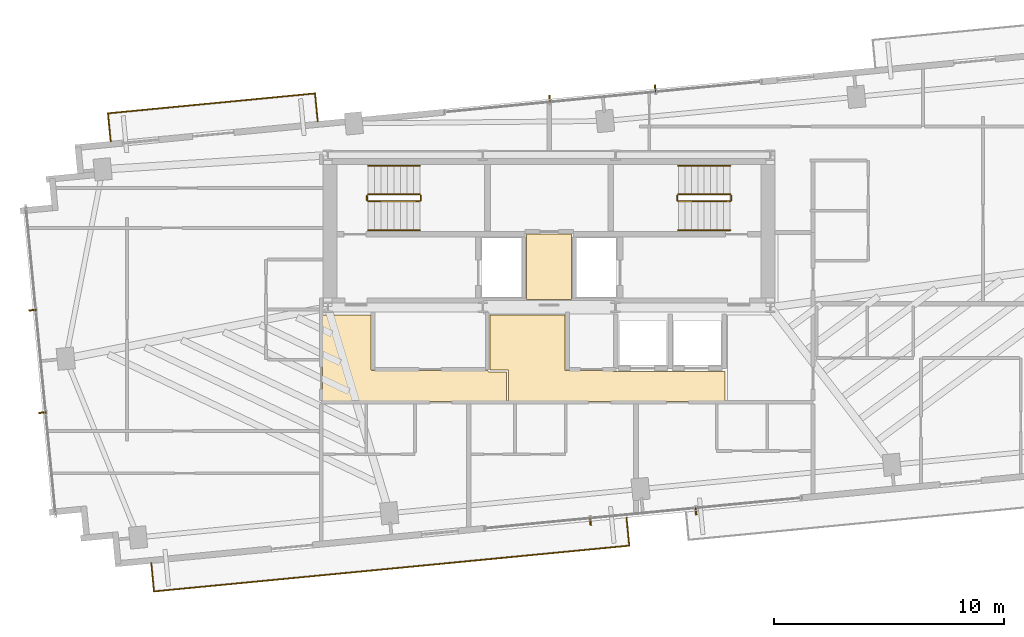
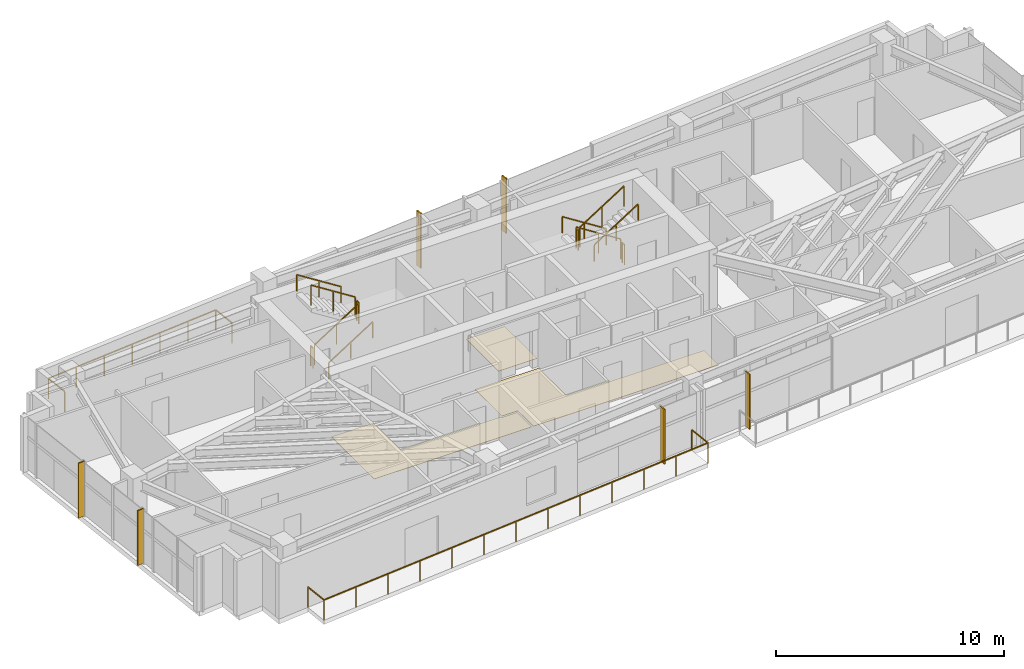
# One storey, part 17 of 18: 14 railings, 6 shading devices, 3 coverings.
"""IFC4 building model written with IfcOpenShell, lengths in metres."""

from ifc_helpers import new_model, si_unit, direction, frame, origin, origin_2d, place, context, subcontext, project, spatial, polyline, rectangle, outline, extrude, source, transform, mapped, material, layer, layer_set, type_object, type_shapes, element, save


model = new_model("IFC4")

# Units and contexts
model_context = context("Model", 3, precision=1e-05, world=origin(), true_north=direction((0.0, 1.0)))
body_context = subcontext(model_context, "Body", "Model", "MODEL_VIEW")
ifc_project = project(units=[si_unit("LENGTHUNIT", "METRE"), si_unit("AREAUNIT", "SQUARE_METRE"), si_unit("VOLUMEUNIT", "CUBIC_METRE"), si_unit("PLANEANGLEUNIT", "RADIAN"), si_unit("MASSUNIT", "GRAM", prefix="KILO")], contexts=[model_context])

# Site, building, storey
site_placement = place(None, origin())
site = spatial("IfcSite", under=ifc_project, at=site_placement, CompositionType="ELEMENT")
building_placement = place(site_placement, origin())
building = spatial("IfcBuilding", under=site, at=building_placement, Name="Astriad Promenade Condominiums", CompositionType="ELEMENT")
storey_placement = place(building_placement, frame((0.0, 0.0, 189.0)))
storey = spatial("IfcBuildingStorey", under=building, at=storey_placement, Name="L54", CompositionType="ELEMENT", Elevation=189.0)

# Coverings
ifc_material_1 = material(Name="Polished Lakefront Terrazzo Flooring")
ifc_layer = layer(ifc_material_1, 0.02001953125)
ifc_layer_set = layer_set([ifc_layer], Name="Polished Lakefront Terrazzo Flooring")
covering_type = type_object("IfcCoveringType", Name="COV-FLOR-TERRAZZO-20", PredefinedType="FLOORING", material=ifc_layer_set)
covering_1_placement = place(storey_placement, origin())
element("IfcCovering", 1, at=covering_1_placement, inside=storey, type_object=covering_type, Name="FLR-L54-CSL", PredefinedType="FLOORING", context=body_context, shape_type="SweptSolid", body=[
    extrude(outline(polyline([(36.97998046875, 17.739990234375), (35.02001953125, 17.739990234375), (35.02001953125, 20.580078125), (36.97998046875, 20.580078125), (36.97998046875, 17.739990234375)])), origin(), (0.0, 0.0, 1.0), 0.02001953125),
])
covering_2_placement = place(storey_placement, origin())
element("IfcCovering", 2, at=covering_2_placement, inside=storey, type_object=covering_type, Name="FLR-L54-LLB", PredefinedType="FLOORING", context=body_context, shape_type="SweptSolid", body=[
    extrude(outline(polyline([(43.639892578125, 14.610107421875), (43.639892578125, 13.320068359375), (34.239990234375, 13.320068359375), (34.239990234375, 14.64990234375), (34.23974609375, 14.65380859375), (34.2392578125, 14.65771484375), (34.23828125, 14.66162109375), (34.237060546875, 14.665283203125), (34.2353515625, 14.6689453125), (34.2333984375, 14.672119140625), (34.23095703125, 14.67529296875), (34.228271484375, 14.67822265625), (34.225341796875, 14.680908203125), (34.22216796875, 14.683349609375), (34.218994140625, 14.685302734375), (34.21533203125, 14.68701171875), (34.211669921875, 14.688232421875), (34.207763671875, 14.689208984375), (34.203857421875, 14.689697265625), (34.199951171875, 14.68994140625), (33.43994140625, 14.68994140625), (33.43994140625, 17.06005859375), (36.679931640625, 17.06005859375), (36.679931640625, 14.699951171875), (36.68017578125, 14.696044921875), (36.680908203125, 14.692138671875), (36.681640625, 14.6884765625), (36.68310546875, 14.684814453125), (36.684814453125, 14.68115234375), (36.686767578125, 14.677734375), (36.689208984375, 14.674560546875), (36.691650390625, 14.671630859375), (36.694580078125, 14.669189453125), (36.69775390625, 14.666748046875), (36.701171875, 14.664794921875), (36.70458984375, 14.6630859375), (36.70849609375, 14.66162109375), (36.712158203125, 14.660888671875), (36.716064453125, 14.66015625), (36.719970703125, 14.659912109375), (38.760009765625, 14.659912109375), (38.760009765625, 14.64990234375), (38.76025390625, 14.64599609375), (38.7607421875, 14.64208984375), (38.76171875, 14.638427734375), (38.762939453125, 14.634765625), (38.7646484375, 14.631103515625), (38.7666015625, 14.627685546875), (38.76904296875, 14.62451171875), (38.771728515625, 14.62158203125), (38.774658203125, 14.619140625), (38.77783203125, 14.61669921875), (38.781005859375, 14.61474609375), (38.78466796875, 14.613037109375), (38.788330078125, 14.61181640625), (38.792236328125, 14.61083984375), (38.796142578125, 14.610107421875), (38.800048828125, 14.610107421875), (43.639892578125, 14.610107421875)])), origin(), (0.0, 0.0, 1.0), 0.02001953125),
])
covering_3_placement = place(storey_placement, origin())
element("IfcCovering", 3, at=covering_3_placement, inside=storey, type_object=covering_type, Name="FLR-L54-COR-1", PredefinedType="FLOORING", context=body_context, shape_type="SweptSolid", body=[
    extrude(outline(polyline([(26.159912109375, 13.320068359375), (26.159912109375, 17.06005859375), (28.280029296875, 17.06005859375), (28.280029296875, 14.699951171875), (28.2802734375, 14.696044921875), (28.28076171875, 14.692138671875), (28.28173828125, 14.6884765625), (28.282958984375, 14.684814453125), (28.28466796875, 14.68115234375), (28.28662109375, 14.677734375), (28.2890625, 14.674560546875), (28.291748046875, 14.671630859375), (28.294677734375, 14.669189453125), (28.2978515625, 14.666748046875), (28.301025390625, 14.664794921875), (28.3046875, 14.6630859375), (28.308349609375, 14.66162109375), (28.312255859375, 14.660888671875), (28.316162109375, 14.66015625), (28.320068359375, 14.659912109375), (33.35009765625, 14.659912109375), (33.35009765625, 14.64892578125), (33.35009765625, 14.64501953125), (33.350830078125, 14.64111328125), (33.35107421875, 14.64013671875), (33.351318359375, 14.639404296875), (33.351318359375, 14.638427734375), (33.352294921875, 14.634521484375), (33.353759765625, 14.630859375), (33.3544921875, 14.629150390625), (33.356201171875, 14.6259765625), (33.356689453125, 14.625), (33.35888671875, 14.62158203125), (33.3603515625, 14.61962890625), (33.36083984375, 14.618896484375), (33.361083984375, 14.61865234375), (33.361328125, 14.618408203125), (33.361572265625, 14.617919921875), (33.36328125, 14.615966796875), (33.365966796875, 14.61328125), (33.367919921875, 14.611572265625), (33.368408203125, 14.611328125), (33.36865234375, 14.611083984375), (33.368896484375, 14.61083984375), (33.36962890625, 14.6103515625), (33.37158203125, 14.60888671875), (33.375, 14.606689453125), (33.3759765625, 14.606201171875), (33.379150390625, 14.6044921875), (33.3798828125, 14.604248046875), (33.380859375, 14.603759765625), (33.384521484375, 14.602294921875), (33.388427734375, 14.601318359375), (33.389404296875, 14.601318359375), (33.39013671875, 14.60107421875), (33.39111328125, 14.600830078125), (33.39501953125, 14.60009765625), (33.39892578125, 14.60009765625), (34.14990234375, 14.60009765625), (34.14990234375, 13.320068359375), (26.159912109375, 13.320068359375)])), origin(), (0.0, 0.0, 1.0), 0.02001953125),
])

# Shading devices
ifc_material_2 = material(Name="Anodised aluminium 6063-T6 Black Fin", Category="aluminium")
shading_device_type = type_object("IfcShadingDeviceType", Name="FIN-BLACK-260", PredefinedType="USERDEFINED", material=ifc_material_2)
shared_shape_1 = source(origin(), body_context, "Body", "SweptSolid", [
    extrude(rectangle(XDim=0.06494140625, YDim=0.320068359375, at=origin_2d()), origin(), (0.0, 0.0, 1.0), 2.93994140625),
])
type_shapes(shading_device_type, [shared_shape_1])
for number, where, z_axis, x_axis, name in (
    (4, (14.021484375, 12.83203125, 0.0), (0.0, 0.0, 1.0), (-0.09584575252, 0.995396198367, 0.0), "CW-L54-W-FIN-01"),
    (5, (13.59326171875, 17.278076171875, 0.0), (0.0, 0.0, 1.0), (-0.09584575252, 0.995396198367, 0.0), "CW-L54-W-FIN-02"),
    (6, (36.02783203125, 26.447265625, 0.0), (0.0, 0.0, 1.0), (0.995396198367, 0.09584575252, 0.0), "CW-L54-N-FIN-01"),
    (7, (40.606689453125, 26.88818359375, 0.0), (0.0, 0.0, 1.0), (0.995396198367, 0.09584575252, 0.0), "CW-L54-N-FIN-02"),
    (8, (42.3720703125, 8.552734375, 0.0), (0.0, 0.0, 1.0), (-0.995396198367, -0.09584575252, 0.0), "CW-L54-S-FIN-01"),
    (9, (37.793212890625, 8.11181640625, 0.0), (0.0, 0.0, 1.0), (-0.995396198367, -0.09584575252, 0.0), "CW-L54-S-FIN-02"),
):
    element("IfcShadingDevice", number, at=place(storey_placement, frame(where, z_axis=z_axis, x_axis=x_axis)), inside=storey, type_object=shading_device_type, Name=name, ObjectType="FIN", PredefinedType="USERDEFINED", context=body_context, shape_type="MappedRepresentation", body=[
        mapped(shared_shape_1, transform((0.0, 0.0, 0.0), scale=1.0)),
    ])

# Railings
ifc_material_3 = material(Name="Laminated Glass and Stainless Steel Balustrade", Category="steel")
railing_type_1 = type_object("IfcRailingType", Name="GRD-BALC-1120", PredefinedType="BALUSTRADE", material=ifc_material_3)
shared_shape_2 = source(origin(), body_context, "Body", "SweptSolid", [
    extrude(rectangle(XDim=0.048095703125, YDim=0.048095703125, at=origin_2d()), frame((0.0, 0.0, 1.09619140625), z_axis=(0.095857307208, -0.99539508571, 0.0), x_axis=(0.99539508571, 0.095857307208, 0.0)), (0.0, 0.0, 1.0), 1.219970703125),
    extrude(rectangle(XDim=0.048095703125, YDim=0.048095703125, at=origin_2d()), frame((0.116943359375, -1.21435546875, 1.09619140625), z_axis=(0.99539567659, 0.095851171225, 0.0), x_axis=(-0.095851171225, 0.99539567659, 0.0)), (0.0, 0.0, 1.0), 20.718017578125),
    extrude(rectangle(XDim=0.048095703125, YDim=0.048095703125, at=origin_2d()), frame((20.739501953125, 0.771484375, 1.09619140625), z_axis=(-0.095857307208, 0.99539508571, 0.0), x_axis=(-0.99539508571, -0.095857307208, 0.0)), (0.0, 0.0, 1.0), 1.219970703125),
    extrude(rectangle(XDim=0.0419921875, YDim=0.0419921875, at=origin_2d()), origin(), (0.0, 0.0, 1.0), 1.072021484375),
    extrude(rectangle(XDim=0.0419921875, YDim=0.0419921875, at=origin_2d()), frame((0.116943359375, -1.21435546875, 0.0)), (0.0, 0.0, 1.0), 1.072021484375),
    extrude(rectangle(XDim=0.0419921875, YDim=0.0419921875, at=origin_2d()), frame((1.83544921875, -1.048828125, 0.0)), (0.0, 0.0, 1.0), 1.072021484375),
    extrude(rectangle(XDim=0.0419921875, YDim=0.0419921875, at=origin_2d()), frame((3.553955078125, -0.88330078125, 0.0)), (0.0, 0.0, 1.0), 1.072021484375),
    extrude(rectangle(XDim=0.0419921875, YDim=0.0419921875, at=origin_2d()), frame((5.2724609375, -0.7177734375, 0.0)), (0.0, 0.0, 1.0), 1.072021484375),
    extrude(rectangle(XDim=0.0419921875, YDim=0.0419921875, at=origin_2d()), frame((6.9912109375, -0.552490234375, 0.0)), (0.0, 0.0, 1.0), 1.072021484375),
    extrude(rectangle(XDim=0.0419921875, YDim=0.0419921875, at=origin_2d()), frame((8.709716796875, -0.386962890625, 0.0)), (0.0, 0.0, 1.0), 1.072021484375),
    extrude(rectangle(XDim=0.0419921875, YDim=0.0419921875, at=origin_2d()), frame((10.42822265625, -0.221435546875, 0.0)), (0.0, 0.0, 1.0), 1.072021484375),
    extrude(rectangle(XDim=0.0419921875, YDim=0.0419921875, at=origin_2d()), frame((12.146728515625, -0.055908203125, 0.0)), (0.0, 0.0, 1.0), 1.072021484375),
    extrude(rectangle(XDim=0.0419921875, YDim=0.0419921875, at=origin_2d()), frame((13.865234375, 0.109619140625, 0.0)), (0.0, 0.0, 1.0), 1.072021484375),
    extrude(rectangle(XDim=0.0419921875, YDim=0.0419921875, at=origin_2d()), frame((15.583984375, 0.27490234375, 0.0)), (0.0, 0.0, 1.0), 1.072021484375),
    extrude(rectangle(XDim=0.0419921875, YDim=0.0419921875, at=origin_2d()), frame((17.302490234375, 0.4404296875, 0.0)), (0.0, 0.0, 1.0), 1.072021484375),
    extrude(rectangle(XDim=0.0419921875, YDim=0.0419921875, at=origin_2d()), frame((19.02099609375, 0.60595703125, 0.0)), (0.0, 0.0, 1.0), 1.072021484375),
    extrude(rectangle(XDim=0.0419921875, YDim=0.0419921875, at=origin_2d()), frame((20.739501953125, 0.771484375, 0.0)), (0.0, 0.0, 1.0), 1.072021484375),
    extrude(rectangle(XDim=0.0419921875, YDim=0.0419921875, at=origin_2d()), frame((20.62255859375, 1.98583984375, 0.0)), (0.0, 0.0, 1.0), 1.072021484375),
])
railing_1_placement = place(storey_placement, frame((18.740478515625, 6.287353515625, 0.0)))
element("IfcRailing", 10, at=railing_1_placement, inside=storey, type_object=railing_type_1, Name="GRD-BALC-L54-SW", PredefinedType="BALUSTRADE", context=body_context, shape_type="MappedRepresentation", body=[
    mapped(shared_shape_2, transform((0.0, 0.0, 0.0), scale=1.0)),
])
shared_shape_3 = source(origin(), body_context, "Body", "SweptSolid", [
    extrude(rectangle(XDim=0.048095703125, YDim=0.048095703125, at=origin_2d()), frame((0.0, 0.0, 1.09619140625), z_axis=(-0.095857307208, 0.99539508571, 0.0), x_axis=(-0.99539508571, -0.095857307208, 0.0)), (0.0, 0.0, 1.0), 1.219970703125),
    extrude(rectangle(XDim=0.048095703125, YDim=0.048095703125, at=origin_2d()), frame((-0.116943359375, 1.21435546875, 1.09619140625), z_axis=(-0.995396140583, -0.095846352628, 0.0), x_axis=(0.095846352628, -0.995396140583, 0.0)), (0.0, 0.0, 1.0), 9.02978515625),
    extrude(rectangle(XDim=0.048095703125, YDim=0.048095703125, at=origin_2d()), frame((-9.105224609375, 0.348876953125, 1.09619140625), z_axis=(0.095659020692, -0.99541416092, 0.0), x_axis=(0.99541416092, 0.095659020692, 0.0)), (0.0, 0.0, 1.0), 1.219970703125),
    extrude(rectangle(XDim=0.0419921875, YDim=0.0419921875, at=origin_2d()), origin(), (0.0, 0.0, 1.0), 1.072021484375),
    extrude(rectangle(XDim=0.0419921875, YDim=0.0419921875, at=origin_2d()), frame((-0.116943359375, 1.21435546875, 0.0)), (0.0, 0.0, 1.0), 1.072021484375),
    extrude(rectangle(XDim=0.0419921875, YDim=0.0419921875, at=origin_2d()), frame((-1.614990234375, 1.070068359375, 0.0)), (0.0, 0.0, 1.0), 1.072021484375),
    extrude(rectangle(XDim=0.0419921875, YDim=0.0419921875, at=origin_2d()), frame((-3.113037109375, 0.92578125, 0.0)), (0.0, 0.0, 1.0), 1.072021484375),
    extrude(rectangle(XDim=0.0419921875, YDim=0.0419921875, at=origin_2d()), frame((-4.611083984375, 0.78173828125, 0.0)), (0.0, 0.0, 1.0), 1.072021484375),
    extrude(rectangle(XDim=0.0419921875, YDim=0.0419921875, at=origin_2d()), frame((-6.109130859375, 0.637451171875, 0.0)), (0.0, 0.0, 1.0), 1.072021484375),
    extrude(rectangle(XDim=0.0419921875, YDim=0.0419921875, at=origin_2d()), frame((-7.607177734375, 0.4931640625, 0.0)), (0.0, 0.0, 1.0), 1.072021484375),
    extrude(rectangle(XDim=0.0419921875, YDim=0.0419921875, at=origin_2d()), frame((-9.105224609375, 0.348876953125, 0.0)), (0.0, 0.0, 1.0), 1.072021484375),
    extrude(rectangle(XDim=0.0419921875, YDim=0.0419921875, at=origin_2d()), frame((-8.988525390625, -0.865478515625, 0.0)), (0.0, 0.0, 1.0), 1.072021484375),
])
type_shapes(railing_type_1, [shared_shape_2, shared_shape_3])
railing_2_placement = place(storey_placement, frame((25.96533203125, 25.46826171875, 0.0)))
element("IfcRailing", 11, at=railing_2_placement, inside=storey, type_object=railing_type_1, Name="GRD-BALC-L54-NW", PredefinedType="BALUSTRADE", context=body_context, shape_type="MappedRepresentation", body=[
    mapped(shared_shape_3, transform((0.0, 0.0, 0.0), scale=1.0)),
])
ifc_material_4 = material(Name="Painted Galvanised Steel Guardrail", Category="steel")
railing_type_2 = type_object("IfcRailingType", Name="GRD-STAIR-1100", PredefinedType="GUARDRAIL", material=ifc_material_4)
shared_shape_4 = source(origin(), body_context, "Body", "SweptSolid", [
    extrude(rectangle(XDim=0.048095703125, YDim=0.048095703125, at=origin_2d()), frame((0.0, 0.0, 1.076171875), z_axis=(0.0, 1.0, 0.0), x_axis=(-1.0, 0.0, 0.0)), (0.0, 0.0, 1.0), 0.199951171875),
    extrude(rectangle(XDim=0.0419921875, YDim=0.0419921875, at=origin_2d()), origin(), (0.0, 0.0, 1.0), 1.052001953125),
    extrude(rectangle(XDim=0.0419921875, YDim=0.0419921875, at=origin_2d()), frame((0.0, 0.199951171875, 0.0)), (0.0, 0.0, 1.0), 1.052001953125),
])
for number, where, name in (
    (12, (30.43994140625, 22.050048828125, 1.60009765625), "L54 ST-1 stair guard 2"),
    (13, (28.10009765625, 22.050048828125, 0.0), "L54 ST-1 stair guard 4"),
):
    element("IfcRailing", number, at=place(storey_placement, frame(where)), inside=storey, type_object=railing_type_2, Name=name, PredefinedType="GUARDRAIL", context=body_context, shape_type="MappedRepresentation", body=[
        mapped(shared_shape_4, transform((0.0, 0.0, 0.0), scale=1.0)),
    ])
shared_shape_5 = source(origin(), body_context, "Body", "SweptSolid", [
    extrude(rectangle(XDim=0.048095703125, YDim=0.048095703125, at=origin_2d()), frame((0.0, 0.0, 1.076171875), z_axis=(0.84418770128, 0.0, 0.536047689118), x_axis=(0.0, 1.0, 0.0)), (0.0, 0.0, 1.0), 2.6533203125),
    extrude(rectangle(XDim=0.0419921875, YDim=0.0419921875, at=origin_2d()), origin(), (0.0, 0.0, 1.0), 1.052001953125),
    extrude(rectangle(XDim=0.0419921875, YDim=0.0419921875, at=origin_2d()), frame((1.1201171875, 0.0, 0.711181640625)), (0.0, 0.0, 1.0), 1.052001953125),
    extrude(rectangle(XDim=0.0419921875, YDim=0.0419921875, at=origin_2d()), frame((2.239990234375, 0.0, 1.42236328125)), (0.0, 0.0, 1.0), 1.052001953125),
])
railing_3_placement = place(storey_placement, frame((28.14990234375, 22.0, 0.177734375)))
element("IfcRailing", 14, at=railing_3_placement, inside=storey, type_object=railing_type_2, Name="L54 ST-1 stair guard 1", PredefinedType="GUARDRAIL", context=body_context, shape_type="MappedRepresentation", body=[
    mapped(shared_shape_5, transform((0.0, 0.0, 0.0), scale=1.0)),
])
shared_shape_6 = source(origin(), body_context, "Body", "SweptSolid", [
    extrude(rectangle(XDim=0.048095703125, YDim=0.048095703125, at=origin_2d()), frame((0.0, 0.0, 1.076171875), z_axis=(-0.8442293374, 0.0, 0.53598211339), x_axis=(0.0, -1.0, 0.0)), (0.0, 0.0, 1.0), 2.6533203125),
    extrude(rectangle(XDim=0.0419921875, YDim=0.0419921875, at=origin_2d()), origin(), (0.0, 0.0, 1.0), 1.052001953125),
    extrude(rectangle(XDim=0.0419921875, YDim=0.0419921875, at=origin_2d()), frame((-1.1201171875, 0.0, 0.7109375)), (0.0, 0.0, 1.0), 1.052001953125),
    extrude(rectangle(XDim=0.0419921875, YDim=0.0419921875, at=origin_2d()), frame((-2.239990234375, 0.0, 1.422119140625)), (0.0, 0.0, 1.0), 1.052001953125),
])
railing_4_placement = place(storey_placement, frame((30.389892578125, 22.300048828125, 1.77783203125)))
element("IfcRailing", 15, at=railing_4_placement, inside=storey, type_object=railing_type_2, Name="L54 ST-1 stair guard 3", PredefinedType="GUARDRAIL", context=body_context, shape_type="MappedRepresentation", body=[
    mapped(shared_shape_6, transform((0.0, 0.0, 0.0), scale=1.0)),
])
ifc_material_5 = material(Name="Brushed Stainless Steel Handrail", Category="steel")
railing_type_3 = type_object("IfcRailingType", Name="HRL-STAIR-920", PredefinedType="HANDRAIL", material=ifc_material_5)
shared_shape_7 = source(origin(), body_context, "Body", "SweptSolid", [
    extrude(rectangle(XDim=0.048095703125, YDim=0.048095703125, at=origin_2d()), frame((0.0, 0.0, 0.8759765625), z_axis=(0.84418770128, 0.0, 0.536047689118), x_axis=(0.0, 1.0, 0.0)), (0.0, 0.0, 1.0), 2.6533203125),
    extrude(rectangle(XDim=0.0419921875, YDim=0.0419921875, at=origin_2d()), origin(), (0.0, 0.0, 1.0), 0.851806640625),
    extrude(rectangle(XDim=0.0419921875, YDim=0.0419921875, at=origin_2d()), frame((1.1201171875, 0.0, 0.711181640625)), (0.0, 0.0, 1.0), 0.851806640625),
    extrude(rectangle(XDim=0.0419921875, YDim=0.0419921875, at=origin_2d()), frame((2.239990234375, 0.0, 1.42236328125)), (0.0, 0.0, 1.0), 0.851806640625),
])
railing_5_placement = place(storey_placement, frame((28.14990234375, 20.75, 0.177734375)))
element("IfcRailing", 16, at=railing_5_placement, inside=storey, type_object=railing_type_3, Name="L54 ST-1 stair handrail 1", PredefinedType="HANDRAIL", context=body_context, shape_type="MappedRepresentation", body=[
    mapped(shared_shape_7, transform((0.0, 0.0, 0.0), scale=1.0)),
])
shared_shape_8 = source(origin(), body_context, "Body", "SweptSolid", [
    extrude(rectangle(XDim=0.048095703125, YDim=0.048095703125, at=origin_2d()), frame((0.0, 0.0, 0.8759765625), z_axis=(-0.8442293374, 0.0, 0.53598211339), x_axis=(0.0, -1.0, 0.0)), (0.0, 0.0, 1.0), 2.6533203125),
    extrude(rectangle(XDim=0.0419921875, YDim=0.0419921875, at=origin_2d()), origin(), (0.0, 0.0, 1.0), 0.851806640625),
    extrude(rectangle(XDim=0.0419921875, YDim=0.0419921875, at=origin_2d()), frame((-1.1201171875, 0.0, 0.7109375)), (0.0, 0.0, 1.0), 0.851806640625),
    extrude(rectangle(XDim=0.0419921875, YDim=0.0419921875, at=origin_2d()), frame((-2.239990234375, 0.0, 1.422119140625)), (0.0, 0.0, 1.0), 0.851806640625),
])
railing_6_placement = place(storey_placement, frame((30.389892578125, 23.550048828125, 1.77783203125)))
element("IfcRailing", 17, at=railing_6_placement, inside=storey, type_object=railing_type_3, Name="L54 ST-1 stair handrail 2", PredefinedType="HANDRAIL", context=body_context, shape_type="MappedRepresentation", body=[
    mapped(shared_shape_8, transform((0.0, 0.0, 0.0), scale=1.0)),
])
shared_shape_9 = source(origin(), body_context, "Body", "SweptSolid", [
    extrude(rectangle(XDim=0.048095703125, YDim=0.048095703125, at=origin_2d()), frame((0.0, 0.0, 1.076171875), z_axis=(0.8442293374, 0.0, 0.53598211339), x_axis=(0.0, 1.0, 0.0)), (0.0, 0.0, 1.0), 2.6533203125),
    extrude(rectangle(XDim=0.0419921875, YDim=0.0419921875, at=origin_2d()), origin(), (0.0, 0.0, 1.0), 1.052001953125),
    extrude(rectangle(XDim=0.0419921875, YDim=0.0419921875, at=origin_2d()), frame((1.1201171875, 0.0, 0.7109375)), (0.0, 0.0, 1.0), 1.052001953125),
    extrude(rectangle(XDim=0.0419921875, YDim=0.0419921875, at=origin_2d()), frame((2.239990234375, 0.0, 1.422119140625)), (0.0, 0.0, 1.0), 1.052001953125),
])
railing_7_placement = place(storey_placement, frame((41.610107421875, 22.0, 1.77783203125)))
element("IfcRailing", 18, at=railing_7_placement, inside=storey, type_object=railing_type_2, Name="L54 ST-2 stair guard 3", PredefinedType="GUARDRAIL", context=body_context, shape_type="MappedRepresentation", body=[
    mapped(shared_shape_9, transform((0.0, 0.0, 0.0), scale=1.0)),
])
shared_shape_10 = source(origin(), body_context, "Body", "SweptSolid", [
    extrude(rectangle(XDim=0.048095703125, YDim=0.048095703125, at=origin_2d()), frame((0.0, 0.0, 1.076171875), z_axis=(-0.84418770128, 0.0, 0.536047689118), x_axis=(0.0, -1.0, 0.0)), (0.0, 0.0, 1.0), 2.6533203125),
    extrude(rectangle(XDim=0.0419921875, YDim=0.0419921875, at=origin_2d()), origin(), (0.0, 0.0, 1.0), 1.052001953125),
    extrude(rectangle(XDim=0.0419921875, YDim=0.0419921875, at=origin_2d()), frame((-1.1201171875, 0.0, 0.711181640625)), (0.0, 0.0, 1.0), 1.052001953125),
    extrude(rectangle(XDim=0.0419921875, YDim=0.0419921875, at=origin_2d()), frame((-2.239990234375, 0.0, 1.42236328125)), (0.0, 0.0, 1.0), 1.052001953125),
])
railing_8_placement = place(storey_placement, frame((43.85009765625, 22.300048828125, 0.177734375)))
element("IfcRailing", 19, at=railing_8_placement, inside=storey, type_object=railing_type_2, Name="L54 ST-2 stair guard 1", PredefinedType="GUARDRAIL", context=body_context, shape_type="MappedRepresentation", body=[
    mapped(shared_shape_10, transform((0.0, 0.0, 0.0), scale=1.0)),
])
shared_shape_11 = source(origin(), body_context, "Body", "SweptSolid", [
    extrude(rectangle(XDim=0.048095703125, YDim=0.048095703125, at=origin_2d()), frame((0.0, 0.0, 0.8759765625), z_axis=(0.8442293374, 0.0, 0.53598211339), x_axis=(0.0, 1.0, 0.0)), (0.0, 0.0, 1.0), 2.6533203125),
    extrude(rectangle(XDim=0.0419921875, YDim=0.0419921875, at=origin_2d()), origin(), (0.0, 0.0, 1.0), 0.851806640625),
    extrude(rectangle(XDim=0.0419921875, YDim=0.0419921875, at=origin_2d()), frame((1.1201171875, 0.0, 0.7109375)), (0.0, 0.0, 1.0), 0.851806640625),
    extrude(rectangle(XDim=0.0419921875, YDim=0.0419921875, at=origin_2d()), frame((2.239990234375, 0.0, 1.422119140625)), (0.0, 0.0, 1.0), 0.851806640625),
])
railing_9_placement = place(storey_placement, frame((41.610107421875, 20.75, 1.77783203125)))
element("IfcRailing", 20, at=railing_9_placement, inside=storey, type_object=railing_type_3, Name="L54 ST-2 stair handrail 2", PredefinedType="HANDRAIL", context=body_context, shape_type="MappedRepresentation", body=[
    mapped(shared_shape_11, transform((0.0, 0.0, 0.0), scale=1.0)),
])
shared_shape_12 = source(origin(), body_context, "Body", "SweptSolid", [
    extrude(rectangle(XDim=0.048095703125, YDim=0.048095703125, at=origin_2d()), frame((0.0, 0.0, 0.8759765625), z_axis=(-0.84418770128, 0.0, 0.536047689118), x_axis=(0.0, -1.0, 0.0)), (0.0, 0.0, 1.0), 2.6533203125),
    extrude(rectangle(XDim=0.0419921875, YDim=0.0419921875, at=origin_2d()), origin(), (0.0, 0.0, 1.0), 0.851806640625),
    extrude(rectangle(XDim=0.0419921875, YDim=0.0419921875, at=origin_2d()), frame((-1.1201171875, 0.0, 0.711181640625)), (0.0, 0.0, 1.0), 0.851806640625),
    extrude(rectangle(XDim=0.0419921875, YDim=0.0419921875, at=origin_2d()), frame((-2.239990234375, 0.0, 1.42236328125)), (0.0, 0.0, 1.0), 0.851806640625),
])
type_shapes(railing_type_3, [shared_shape_7, shared_shape_8, shared_shape_11, shared_shape_12])
railing_10_placement = place(storey_placement, frame((43.85009765625, 23.550048828125, 0.177734375)))
element("IfcRailing", 21, at=railing_10_placement, inside=storey, type_object=railing_type_3, Name="L54 ST-2 stair handrail 1", PredefinedType="HANDRAIL", context=body_context, shape_type="MappedRepresentation", body=[
    mapped(shared_shape_12, transform((0.0, 0.0, 0.0), scale=1.0)),
])
shared_shape_13 = source(origin(), body_context, "Body", "SweptSolid", [
    extrude(rectangle(XDim=0.048095703125, YDim=0.048095703125, at=origin_2d()), frame((0.0, 0.0, 1.076171875), z_axis=(0.0, -1.0, 0.0), x_axis=(1.0, 0.0, 0.0)), (0.0, 0.0, 1.0), 0.199951171875),
    extrude(rectangle(XDim=0.0419921875, YDim=0.0419921875, at=origin_2d()), origin(), (0.0, 0.0, 1.0), 1.052001953125),
    extrude(rectangle(XDim=0.0419921875, YDim=0.0419921875, at=origin_2d()), frame((0.0, -0.199951171875, 0.0)), (0.0, 0.0, 1.0), 1.052001953125),
])
type_shapes(railing_type_2, [shared_shape_4, shared_shape_5, shared_shape_6, shared_shape_9, shared_shape_10, shared_shape_13])
for number, where, name in (
    (22, (41.56005859375, 22.25, 1.60009765625), "L54 ST-2 stair guard 2"),
    (23, (43.89990234375, 22.25, 0.0), "L54 ST-2 stair guard 4"),
):
    element("IfcRailing", number, at=place(storey_placement, frame(where)), inside=storey, type_object=railing_type_2, Name=name, PredefinedType="GUARDRAIL", context=body_context, shape_type="MappedRepresentation", body=[
        mapped(shared_shape_13, transform((0.0, 0.0, 0.0), scale=1.0)),
    ])

save(model, "model.ifc")
